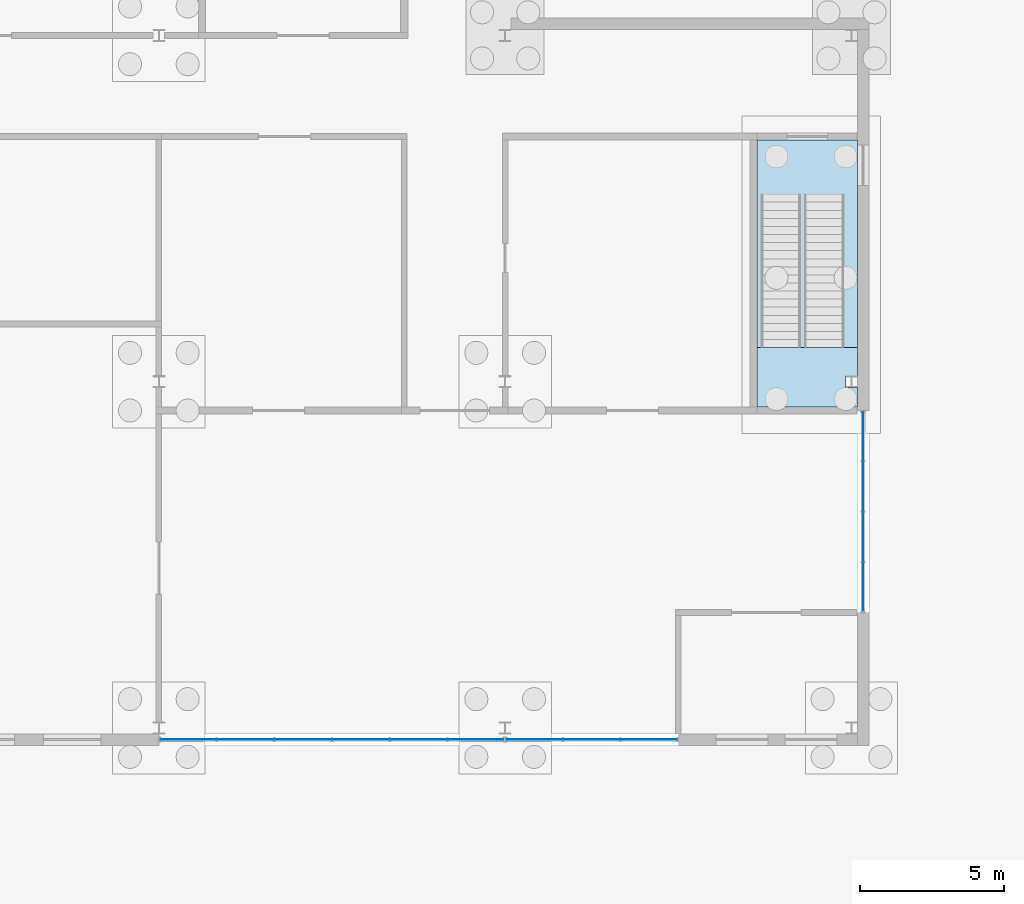
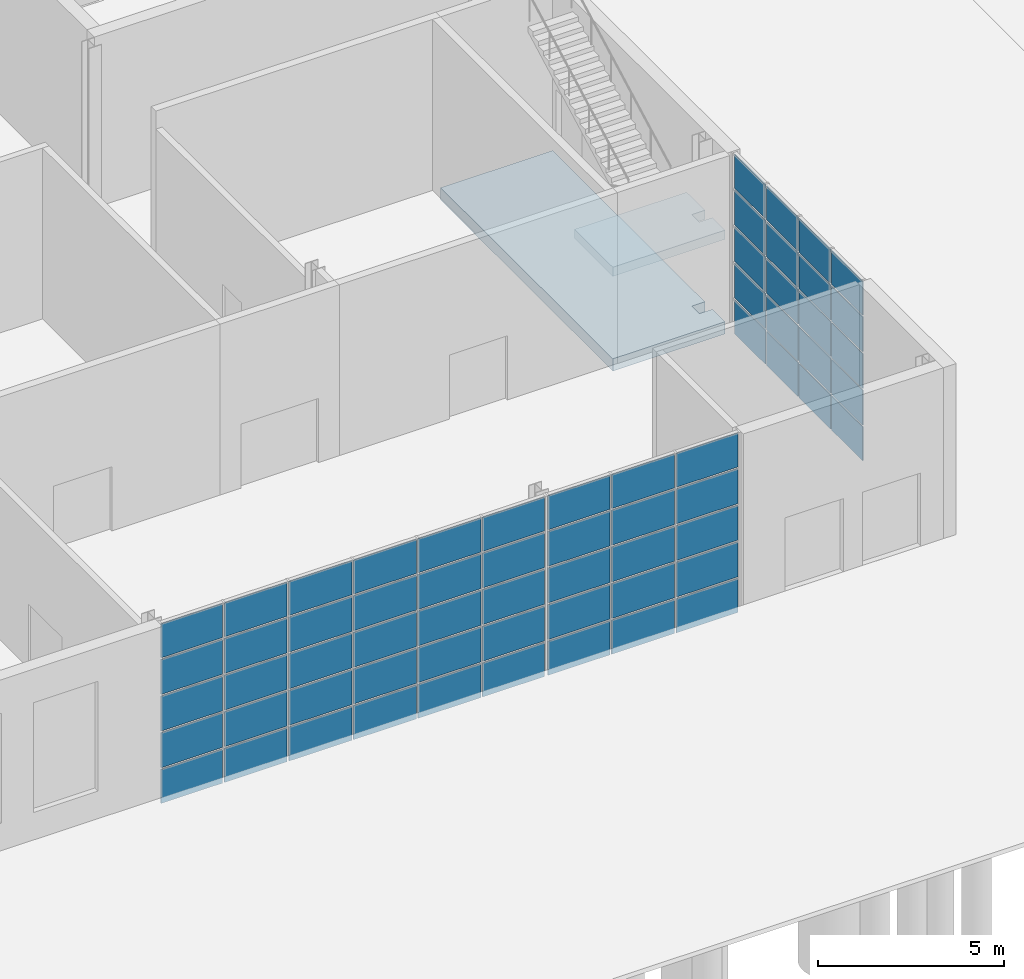
# One storey, part 15 of 29: 65 plates, 2 slabs, 4 elements without a shape of their own.
"""IFC4 building model written with IfcOpenShell, lengths in metres."""

import ifcopenshell
import ifcopenshell.guid

model = None  # the IFC model being written
_history = None  # IfcOwnerHistory: only IFC2X3 demands one
_inside = {}  # id of a spatial element -> (the spatial element, [elements in it])
_under = {}  # id of a project, library or spatial element -> (it, [spatial elements below it])
_declared = {}  # id of a project -> (the project, [libraries it declares])
_typed = {}  # id of a type object -> (the type object, [elements of that type])
_made_of = {}  # id of a material, layer set ... -> (it, [elements and type objects made of it])


def new_model(schema):
    """Start an empty IFC model of exactly this schema.

    Asked for "IFC4X3", IfcOpenShell would pick the latest addendum, in which some entities
    have other attributes; the version numbers below select the first issue.
    IFC2X3 requires an IfcOwnerHistory on every rooted entity: one is made here for all.
    """
    global model, _history
    if schema == "IFC4X3":
        model = ifcopenshell.file(schema_version=(4, 3, 0, 0))
    else:
        model = ifcopenshell.file(schema=schema)
    _inside.clear()
    _under.clear()
    _declared.clear()
    _typed.clear()
    _made_of.clear()
    _history = None
    if model.schema == "IFC2X3":
        org = make("IfcOrganization", Name="unknown")
        user = make(
            "IfcPersonAndOrganization",
            ThePerson=make("IfcPerson", FamilyName="unknown"),
            TheOrganization=org,
        )
        app = make(
            "IfcApplication",
            ApplicationDeveloper=org,
            Version="unknown",
            ApplicationFullName="unknown",
            ApplicationIdentifier="unknown",
        )
        _history = make(
            "IfcOwnerHistory",
            OwningUser=user,
            OwningApplication=app,
            ChangeAction="ADDED",
            CreationDate=0,
        )
    return model


def make(cls, **values):
    """One entity of the class cls with the attributes given. An attribute that is None is left unset."""
    return model.create_entity(
        cls, **{name: value for name, value in values.items() if value is not None}
    )


def rooted(cls, **values):
    """An entity with a GlobalId (a new one), such as an element, a storey or a relation."""
    return make(cls, GlobalId=ifcopenshell.guid.new(), OwnerHistory=_history, **values)


def si_unit(unit_type, name, prefix=None):
    """IfcSIUnit, for example si_unit("LENGTHUNIT", "METRE", prefix="MILLI")."""
    return make("IfcSIUnit", UnitType=unit_type, Prefix=prefix, Name=name)


def assignment(units):
    """IfcUnitAssignment: the units of a project."""
    return None if units is None else make("IfcUnitAssignment", Units=units)


def point(xyz):
    """IfcCartesianPoint."""
    return None if xyz is None else make("IfcCartesianPoint", Coordinates=xyz)


def direction(xyz):
    """IfcDirection."""
    return None if xyz is None else make("IfcDirection", DirectionRatios=xyz)


def frame(location, z_axis=None, x_axis=None):
    """IfcAxis2Placement3D, a coordinate frame: its origin and axes. An axis left out is left unset."""
    return make(
        "IfcAxis2Placement3D",
        Location=point(location),
        Axis=direction(z_axis),
        RefDirection=direction(x_axis),
    )


def frame_2d(location, x_axis=None):
    """IfcAxis2Placement2D, a coordinate frame in the plane: its origin and x axis."""
    return make(
        "IfcAxis2Placement2D", Location=point(location), RefDirection=direction(x_axis)
    )


def origin():
    """The frame at (0, 0, 0) with its axes left unset."""
    return frame((0.0, 0.0, 0.0))


def origin_2d():
    """The frame at (0, 0) in the plane with its x axis left unset."""
    return frame_2d((0.0, 0.0))


def place(relative_to, where):
    """IfcLocalPlacement: puts the frame where relative to a parent placement (None: the world)."""
    return make(
        "IfcLocalPlacement", PlacementRelTo=relative_to, RelativePlacement=where
    )


def context(
    kind, dimensions, precision=None, world=None, true_north=None, identifier=None
):
    """IfcGeometricRepresentationContext, for example the 3D "Model" context."""
    return make(
        "IfcGeometricRepresentationContext",
        ContextIdentifier=identifier,
        ContextType=kind,
        CoordinateSpaceDimension=dimensions,
        Precision=precision,
        WorldCoordinateSystem=world,
        TrueNorth=true_north,
    )


def subcontext(parent, identifier, kind, view, scale=None):
    """IfcGeometricRepresentationSubContext, for example "Body" below "Model"."""
    return make(
        "IfcGeometricRepresentationSubContext",
        ContextIdentifier=identifier,
        ContextType=kind,
        ParentContext=parent,
        TargetScale=scale,
        TargetView=view,
    )


def project(units=None, contexts=None):
    """IfcProject with its units and contexts."""
    return rooted(
        "IfcProject",
        Name="project",
        RepresentationContexts=contexts,
        UnitsInContext=assignment(units),
    )


def spatial(cls, under=None, at=None, **own):
    """A site, building, storey or space (cls), placed at a placement, below another one or the project."""
    s = rooted(cls, ObjectPlacement=at, **own)
    if under is not None:
        _under.setdefault(under.id(), (under, []))[1].append(s)
    return s


def polyline(points):
    """IfcPolyline through the points."""
    return make("IfcPolyline", Points=[point(p) for p in points])


def profile(cls, at=None, kind="AREA", **sizes):
    """A parametric profile (cls). Its sizes go by their IFC names, for example OverallWidth=200.0."""
    return make(cls, ProfileType=kind, Position=at, **sizes)


def rectangle(**sizes):
    """IfcRectangleProfileDef."""
    return profile("IfcRectangleProfileDef", **sizes)


def outline(outer, holes=None, kind="AREA"):
    """IfcArbitraryClosedProfileDef: a profile drawn as a closed curve; with holes, ...WithVoids."""
    if holes is None:
        return make("IfcArbitraryClosedProfileDef", ProfileType=kind, OuterCurve=outer)
    return make(
        "IfcArbitraryProfileDefWithVoids",
        ProfileType=kind,
        OuterCurve=outer,
        InnerCurves=holes,
    )


def extrude(swept, where, along, depth):
    """IfcExtrudedAreaSolid: the profile swept, set in the frame where, extruded along a direction by depth."""
    return make(
        "IfcExtrudedAreaSolid",
        SweptArea=swept,
        Position=where,
        ExtrudedDirection=direction(along),
        Depth=depth,
    )


def shape(context_of_items, identifier, shape_type, items):
    """IfcShapeRepresentation: the items that make up one representation, for example the "Body"."""
    return make(
        "IfcShapeRepresentation",
        ContextOfItems=context_of_items,
        RepresentationIdentifier=identifier,
        RepresentationType=shape_type,
        Items=items,
    )


def material(Name=None, Category=None):
    """IfcMaterial."""
    return make("IfcMaterial", Name=Name, Category=Category)


def layer(
    of_material, thickness, ventilated=None, Name=None, Category=None, Priority=None
):
    """IfcMaterialLayer: one layer of a wall or slab, of a material (None: an air gap)."""
    return make(
        "IfcMaterialLayer",
        Material=of_material,
        LayerThickness=thickness,
        IsVentilated=ventilated,
        Name=Name,
        Category=Category,
        Priority=Priority,
    )


def layer_set(layers, Name=None):
    """IfcMaterialLayerSet."""
    return make("IfcMaterialLayerSet", MaterialLayers=layers, LayerSetName=Name)


def made_of(thing, what):
    """Note that an element or type object is made of a material, layer set ...; save() writes the relation."""
    if what is not None:
        _made_of.setdefault(what.id(), (what, []))[1].append(thing)
    return thing


def type_object(cls, material=None, **own):
    """A type object (cls), such as IfcWallType, which elements share."""
    return made_of(rooted(cls, **own), material)


def element(
    cls,
    number,
    at=None,
    inside=None,
    cuts=None,
    type_object=None,
    material=None,
    context=None,
    identifier="Body",
    shape_type=None,
    held_by="IfcProductDefinitionShape",
    body=None,
    shapes=None,
    **own,
):
    """One element of the class cls, such as IfcWall. Its Tag is "e" and its number.

    at: its placement. inside: the storey or other place that contains it. cuts: it is an
    opening in that element (IfcRelVoidsElement). A single representation is given by context,
    identifier, shape_type and body (its items); several are given by shapes. held_by: the class
    of the entity that holds the representations. save() writes the other relations.
    """
    e = rooted(cls, Tag="e%d" % number, ObjectPlacement=at, **own)
    if body is not None:
        shapes = [shape(context, identifier, shape_type, body)]
    if shapes is not None:
        e.Representation = make(held_by, Representations=shapes)
    if inside is not None:
        _inside.setdefault(inside.id(), (inside, []))[1].append(e)
    if cuts is not None:
        rooted(
            "IfcRelVoidsElement", RelatingBuildingElement=cuts, RelatedOpeningElement=e
        )
    if type_object is not None:
        _typed.setdefault(type_object.id(), (type_object, []))[1].append(e)
    return made_of(e, material)


def aggregate(whole, parts):
    """IfcRelAggregates: a whole, such as a stair, and the parts it consists of."""
    return rooted("IfcRelAggregates", RelatingObject=whole, RelatedObjects=parts)


def save(model, path):
    """Write the relations noted so far, then the file.

    IfcRelAggregates (storeys below a building ...), IfcRelContainedInSpatialStructure (elements
    in a storey), IfcRelDefinesByType, IfcRelAssociatesMaterial and IfcRelDeclares: one each for
    every whole, place, type object, material and project.
    """
    for whole, parts in _under.values():
        aggregate(whole, parts)
    for where, things in _inside.values():
        rooted(
            "IfcRelContainedInSpatialStructure",
            RelatedElements=things,
            RelatingStructure=where,
        )
    for kind, things in _typed.values():
        rooted("IfcRelDefinesByType", RelatedObjects=things, RelatingType=kind)
    for what, things in _made_of.values():
        rooted("IfcRelAssociatesMaterial", RelatedObjects=things, RelatingMaterial=what)
    for by, libraries in _declared.values():
        rooted("IfcRelDeclares", RelatingContext=by, RelatedDefinitions=libraries)
    model.write(path)


model = new_model("IFC4")

# Units and contexts
model_context = context("Model", 3, precision=1e-05, world=origin(), true_north=direction((0.0, 1.0)))
body_context = subcontext(model_context, "Body", "Model", "MODEL_VIEW")
ifc_project = project(units=[si_unit("LENGTHUNIT", "METRE"), si_unit("AREAUNIT", "SQUARE_METRE"), si_unit("VOLUMEUNIT", "CUBIC_METRE"), si_unit("PLANEANGLEUNIT", "RADIAN"), si_unit("MASSUNIT", "GRAM", prefix="KILO")], contexts=[model_context])

# Site, building, storey
site_placement = place(None, origin())
site = spatial("IfcSite", under=ifc_project, at=site_placement, CompositionType="ELEMENT")
building_placement = place(site_placement, origin())
building = spatial("IfcBuilding", under=site, at=building_placement, Name="Kitamizu Gate Tower and Museum", CompositionType="ELEMENT")
storey_placement = place(building_placement, origin())
storey = spatial("IfcBuildingStorey", under=building, at=storey_placement, Name="L00", CompositionType="ELEMENT", Elevation=0.0)

# Curtain wall, plates
ifc_material_1 = material(Name="Bronze anodised aluminium frame, tinted triple glazing", Category="aluminium")
ifc_layer_1 = layer(ifc_material_1, 0.39990234375)
ifc_layer_set_1 = layer_set([ifc_layer_1], Name="Bronze anodised aluminium frame, tinted triple glazing")
curtain_wall_type = type_object("IfcCurtainWallType", Name="Museum atrium curtain wall D", PredefinedType="NOTDEFINED", material=ifc_layer_set_1)
curtain_wall_1_placement = place(storey_placement, origin())
curtain_wall_1 = element("IfcCurtainWall", 1, at=curtain_wall_1_placement, inside=storey, type_object=curtain_wall_type, Name="Atrium curtain wall Sm14mm2", PredefinedType="NOTDEFINED")
ifc_material_2 = material(Name="Tinted insulating glass", Category="glass")
ifc_layer_2 = layer(ifc_material_2, 0.028076171875)
ifc_layer_set_2 = layer_set([ifc_layer_2], Name="Tinted insulating glass")
plate_type = type_object("IfcPlateType", Name="Museum curtain wall glass panel 28", PredefinedType="CURTAIN_PANEL", material=ifc_layer_set_2)
plate_1_placement = place(storey_placement, frame((-12.985107421875, -26.39990234375, -0.33984375), z_axis=(0.0, 0.0, 1.0), x_axis=(1.0, 0.0, 0.0)))
plate_1 = element("IfcPlate", 2, at=plate_1_placement, type_object=plate_type, Name="CW-D panel 1.1", PredefinedType="CURTAIN_PANEL", context=body_context, shape_type="SweptSolid", body=[
    extrude(rectangle(XDim=1.909912109375, YDim=0.028076171875, at=origin_2d()), origin(), (0.0, 0.0, 1.0), 1.110107421875),
])
plate_2_placement = place(storey_placement, frame((-12.985107421875, -26.39990234375, 0.830078125), z_axis=(0.0, 0.0, 1.0), x_axis=(1.0, 0.0, 0.0)))
plate_2 = element("IfcPlate", 3, at=plate_2_placement, type_object=plate_type, Name="CW-D panel 1.2", PredefinedType="CURTAIN_PANEL", context=body_context, shape_type="SweptSolid", body=[
    extrude(rectangle(XDim=1.909912109375, YDim=0.028076171875, at=origin_2d()), origin(), (0.0, 0.0, 1.0), 1.139892578125),
])
plate_3_placement = place(storey_placement, frame((-12.985107421875, -26.39990234375, 2.0302734375), z_axis=(0.0, 0.0, 1.0), x_axis=(1.0, 0.0, 0.0)))
plate_3 = element("IfcPlate", 4, at=plate_3_placement, type_object=plate_type, Name="CW-D panel 1.3", PredefinedType="CURTAIN_PANEL", context=body_context, shape_type="SweptSolid", body=[
    extrude(rectangle(XDim=1.909912109375, YDim=0.028076171875, at=origin_2d()), origin(), (0.0, 0.0, 1.0), 1.139892578125),
])
plate_4_placement = place(storey_placement, frame((-12.985107421875, -26.39990234375, 3.22998046875), z_axis=(0.0, 0.0, 1.0), x_axis=(1.0, 0.0, 0.0)))
plate_4 = element("IfcPlate", 5, at=plate_4_placement, type_object=plate_type, Name="CW-D panel 1.4", PredefinedType="CURTAIN_PANEL", context=body_context, shape_type="SweptSolid", body=[
    extrude(rectangle(XDim=1.909912109375, YDim=0.028076171875, at=origin_2d()), origin(), (0.0, 0.0, 1.0), 1.139892578125),
])
plate_5_placement = place(storey_placement, frame((-12.985107421875, -26.39990234375, 4.43017578125), z_axis=(0.0, 0.0, 1.0), x_axis=(1.0, 0.0, 0.0)))
plate_5 = element("IfcPlate", 6, at=plate_5_placement, type_object=plate_type, Name="CW-D panel 1.5", PredefinedType="CURTAIN_PANEL", context=body_context, shape_type="SweptSolid", body=[
    extrude(rectangle(XDim=1.909912109375, YDim=0.028076171875, at=origin_2d()), origin(), (0.0, 0.0, 1.0), 1.110107421875),
])
plate_6_placement = place(storey_placement, frame((-11.0, -26.39990234375, -0.33984375), z_axis=(0.0, 0.0, 1.0), x_axis=(1.0, 0.0, 0.0)))
plate_6 = element("IfcPlate", 7, at=plate_6_placement, type_object=plate_type, Name="CW-D panel 2.1", PredefinedType="CURTAIN_PANEL", context=body_context, shape_type="SweptSolid", body=[
    extrude(rectangle(XDim=1.93994140625, YDim=0.028076171875, at=origin_2d()), origin(), (0.0, 0.0, 1.0), 1.110107421875),
])
plate_7_placement = place(storey_placement, frame((-11.0, -26.39990234375, 0.830078125), z_axis=(0.0, 0.0, 1.0), x_axis=(1.0, 0.0, 0.0)))
plate_7 = element("IfcPlate", 8, at=plate_7_placement, type_object=plate_type, Name="CW-D panel 2.2", PredefinedType="CURTAIN_PANEL", context=body_context, shape_type="SweptSolid", body=[
    extrude(rectangle(XDim=1.93994140625, YDim=0.028076171875, at=origin_2d()), origin(), (0.0, 0.0, 1.0), 1.139892578125),
])
plate_8_placement = place(storey_placement, frame((-11.0, -26.39990234375, 2.0302734375), z_axis=(0.0, 0.0, 1.0), x_axis=(1.0, 0.0, 0.0)))
plate_8 = element("IfcPlate", 9, at=plate_8_placement, type_object=plate_type, Name="CW-D panel 2.3", PredefinedType="CURTAIN_PANEL", context=body_context, shape_type="SweptSolid", body=[
    extrude(rectangle(XDim=1.93994140625, YDim=0.028076171875, at=origin_2d()), origin(), (0.0, 0.0, 1.0), 1.139892578125),
])
plate_9_placement = place(storey_placement, frame((-11.0, -26.39990234375, 3.22998046875), z_axis=(0.0, 0.0, 1.0), x_axis=(1.0, 0.0, 0.0)))
plate_9 = element("IfcPlate", 10, at=plate_9_placement, type_object=plate_type, Name="CW-D panel 2.4", PredefinedType="CURTAIN_PANEL", context=body_context, shape_type="SweptSolid", body=[
    extrude(rectangle(XDim=1.93994140625, YDim=0.028076171875, at=origin_2d()), origin(), (0.0, 0.0, 1.0), 1.139892578125),
])
plate_10_placement = place(storey_placement, frame((-11.0, -26.39990234375, 4.43017578125), z_axis=(0.0, 0.0, 1.0), x_axis=(1.0, 0.0, 0.0)))
plate_10 = element("IfcPlate", 11, at=plate_10_placement, type_object=plate_type, Name="CW-D panel 2.5", PredefinedType="CURTAIN_PANEL", context=body_context, shape_type="SweptSolid", body=[
    extrude(rectangle(XDim=1.93994140625, YDim=0.028076171875, at=origin_2d()), origin(), (0.0, 0.0, 1.0), 1.110107421875),
])
plate_11_placement = place(storey_placement, frame((-9.0, -26.39990234375, -0.33984375), z_axis=(0.0, 0.0, 1.0), x_axis=(1.0, 0.0, 0.0)))
plate_11 = element("IfcPlate", 12, at=plate_11_placement, type_object=plate_type, Name="CW-D panel 3.1", PredefinedType="CURTAIN_PANEL", context=body_context, shape_type="SweptSolid", body=[
    extrude(rectangle(XDim=1.93994140625, YDim=0.028076171875, at=origin_2d()), origin(), (0.0, 0.0, 1.0), 1.110107421875),
])
plate_12_placement = place(storey_placement, frame((-9.0, -26.39990234375, 0.830078125), z_axis=(0.0, 0.0, 1.0), x_axis=(1.0, 0.0, 0.0)))
plate_12 = element("IfcPlate", 13, at=plate_12_placement, type_object=plate_type, Name="CW-D panel 3.2", PredefinedType="CURTAIN_PANEL", context=body_context, shape_type="SweptSolid", body=[
    extrude(rectangle(XDim=1.93994140625, YDim=0.028076171875, at=origin_2d()), origin(), (0.0, 0.0, 1.0), 1.139892578125),
])
plate_13_placement = place(storey_placement, frame((-9.0, -26.39990234375, 2.0302734375), z_axis=(0.0, 0.0, 1.0), x_axis=(1.0, 0.0, 0.0)))
plate_13 = element("IfcPlate", 14, at=plate_13_placement, type_object=plate_type, Name="CW-D panel 3.3", PredefinedType="CURTAIN_PANEL", context=body_context, shape_type="SweptSolid", body=[
    extrude(rectangle(XDim=1.93994140625, YDim=0.028076171875, at=origin_2d()), origin(), (0.0, 0.0, 1.0), 1.139892578125),
])
plate_14_placement = place(storey_placement, frame((-9.0, -26.39990234375, 3.22998046875), z_axis=(0.0, 0.0, 1.0), x_axis=(1.0, 0.0, 0.0)))
plate_14 = element("IfcPlate", 15, at=plate_14_placement, type_object=plate_type, Name="CW-D panel 3.4", PredefinedType="CURTAIN_PANEL", context=body_context, shape_type="SweptSolid", body=[
    extrude(rectangle(XDim=1.93994140625, YDim=0.028076171875, at=origin_2d()), origin(), (0.0, 0.0, 1.0), 1.139892578125),
])
plate_15_placement = place(storey_placement, frame((-9.0, -26.39990234375, 4.43017578125), z_axis=(0.0, 0.0, 1.0), x_axis=(1.0, 0.0, 0.0)))
plate_15 = element("IfcPlate", 16, at=plate_15_placement, type_object=plate_type, Name="CW-D panel 3.5", PredefinedType="CURTAIN_PANEL", context=body_context, shape_type="SweptSolid", body=[
    extrude(rectangle(XDim=1.93994140625, YDim=0.028076171875, at=origin_2d()), origin(), (0.0, 0.0, 1.0), 1.110107421875),
])
plate_16_placement = place(storey_placement, frame((-7.0, -26.39990234375, -0.33984375), z_axis=(0.0, 0.0, 1.0), x_axis=(1.0, 0.0, 0.0)))
plate_16 = element("IfcPlate", 17, at=plate_16_placement, type_object=plate_type, Name="CW-D panel 4.1", PredefinedType="CURTAIN_PANEL", context=body_context, shape_type="SweptSolid", body=[
    extrude(rectangle(XDim=1.93994140625, YDim=0.028076171875, at=origin_2d()), origin(), (0.0, 0.0, 1.0), 1.110107421875),
])
plate_17_placement = place(storey_placement, frame((-7.0, -26.39990234375, 0.830078125), z_axis=(0.0, 0.0, 1.0), x_axis=(1.0, 0.0, 0.0)))
plate_17 = element("IfcPlate", 18, at=plate_17_placement, type_object=plate_type, Name="CW-D panel 4.2", PredefinedType="CURTAIN_PANEL", context=body_context, shape_type="SweptSolid", body=[
    extrude(rectangle(XDim=1.93994140625, YDim=0.028076171875, at=origin_2d()), origin(), (0.0, 0.0, 1.0), 1.139892578125),
])
plate_18_placement = place(storey_placement, frame((-7.0, -26.39990234375, 2.0302734375), z_axis=(0.0, 0.0, 1.0), x_axis=(1.0, 0.0, 0.0)))
plate_18 = element("IfcPlate", 19, at=plate_18_placement, type_object=plate_type, Name="CW-D panel 4.3", PredefinedType="CURTAIN_PANEL", context=body_context, shape_type="SweptSolid", body=[
    extrude(rectangle(XDim=1.93994140625, YDim=0.028076171875, at=origin_2d()), origin(), (0.0, 0.0, 1.0), 1.139892578125),
])
plate_19_placement = place(storey_placement, frame((-7.0, -26.39990234375, 3.22998046875), z_axis=(0.0, 0.0, 1.0), x_axis=(1.0, 0.0, 0.0)))
plate_19 = element("IfcPlate", 20, at=plate_19_placement, type_object=plate_type, Name="CW-D panel 4.4", PredefinedType="CURTAIN_PANEL", context=body_context, shape_type="SweptSolid", body=[
    extrude(rectangle(XDim=1.93994140625, YDim=0.028076171875, at=origin_2d()), origin(), (0.0, 0.0, 1.0), 1.139892578125),
])
plate_20_placement = place(storey_placement, frame((-7.0, -26.39990234375, 4.43017578125), z_axis=(0.0, 0.0, 1.0), x_axis=(1.0, 0.0, 0.0)))
plate_20 = element("IfcPlate", 21, at=plate_20_placement, type_object=plate_type, Name="CW-D panel 4.5", PredefinedType="CURTAIN_PANEL", context=body_context, shape_type="SweptSolid", body=[
    extrude(rectangle(XDim=1.93994140625, YDim=0.028076171875, at=origin_2d()), origin(), (0.0, 0.0, 1.0), 1.110107421875),
])
plate_21_placement = place(storey_placement, frame((-5.0, -26.39990234375, -0.33984375), z_axis=(0.0, 0.0, 1.0), x_axis=(1.0, 0.0, 0.0)))
plate_21 = element("IfcPlate", 22, at=plate_21_placement, type_object=plate_type, Name="CW-D panel 5.1", PredefinedType="CURTAIN_PANEL", context=body_context, shape_type="SweptSolid", body=[
    extrude(rectangle(XDim=1.93994140625, YDim=0.028076171875, at=origin_2d()), origin(), (0.0, 0.0, 1.0), 1.110107421875),
])
plate_22_placement = place(storey_placement, frame((-5.0, -26.39990234375, 0.830078125), z_axis=(0.0, 0.0, 1.0), x_axis=(1.0, 0.0, 0.0)))
plate_22 = element("IfcPlate", 23, at=plate_22_placement, type_object=plate_type, Name="CW-D panel 5.2", PredefinedType="CURTAIN_PANEL", context=body_context, shape_type="SweptSolid", body=[
    extrude(rectangle(XDim=1.93994140625, YDim=0.028076171875, at=origin_2d()), origin(), (0.0, 0.0, 1.0), 1.139892578125),
])
plate_23_placement = place(storey_placement, frame((-5.0, -26.39990234375, 2.0302734375), z_axis=(0.0, 0.0, 1.0), x_axis=(1.0, 0.0, 0.0)))
plate_23 = element("IfcPlate", 24, at=plate_23_placement, type_object=plate_type, Name="CW-D panel 5.3", PredefinedType="CURTAIN_PANEL", context=body_context, shape_type="SweptSolid", body=[
    extrude(rectangle(XDim=1.93994140625, YDim=0.028076171875, at=origin_2d()), origin(), (0.0, 0.0, 1.0), 1.139892578125),
])
plate_24_placement = place(storey_placement, frame((-5.0, -26.39990234375, 3.22998046875), z_axis=(0.0, 0.0, 1.0), x_axis=(1.0, 0.0, 0.0)))
plate_24 = element("IfcPlate", 25, at=plate_24_placement, type_object=plate_type, Name="CW-D panel 5.4", PredefinedType="CURTAIN_PANEL", context=body_context, shape_type="SweptSolid", body=[
    extrude(rectangle(XDim=1.93994140625, YDim=0.028076171875, at=origin_2d()), origin(), (0.0, 0.0, 1.0), 1.139892578125),
])
plate_25_placement = place(storey_placement, frame((-5.0, -26.39990234375, 4.43017578125), z_axis=(0.0, 0.0, 1.0), x_axis=(1.0, 0.0, 0.0)))
plate_25 = element("IfcPlate", 26, at=plate_25_placement, type_object=plate_type, Name="CW-D panel 5.5", PredefinedType="CURTAIN_PANEL", context=body_context, shape_type="SweptSolid", body=[
    extrude(rectangle(XDim=1.93994140625, YDim=0.028076171875, at=origin_2d()), origin(), (0.0, 0.0, 1.0), 1.110107421875),
])
plate_26_placement = place(storey_placement, frame((-3.014892578125, -26.39990234375, -0.33984375), z_axis=(0.0, 0.0, 1.0), x_axis=(1.0, 0.0, 0.0)))
plate_26 = element("IfcPlate", 27, at=plate_26_placement, type_object=plate_type, Name="CW-D panel 6.1", PredefinedType="CURTAIN_PANEL", context=body_context, shape_type="SweptSolid", body=[
    extrude(rectangle(XDim=1.909912109375, YDim=0.028076171875, at=origin_2d()), origin(), (0.0, 0.0, 1.0), 1.110107421875),
])
plate_27_placement = place(storey_placement, frame((-3.014892578125, -26.39990234375, 0.830078125), z_axis=(0.0, 0.0, 1.0), x_axis=(1.0, 0.0, 0.0)))
plate_27 = element("IfcPlate", 28, at=plate_27_placement, type_object=plate_type, Name="CW-D panel 6.2", PredefinedType="CURTAIN_PANEL", context=body_context, shape_type="SweptSolid", body=[
    extrude(rectangle(XDim=1.909912109375, YDim=0.028076171875, at=origin_2d()), origin(), (0.0, 0.0, 1.0), 1.139892578125),
])
plate_28_placement = place(storey_placement, frame((-3.014892578125, -26.39990234375, 2.0302734375), z_axis=(0.0, 0.0, 1.0), x_axis=(1.0, 0.0, 0.0)))
plate_28 = element("IfcPlate", 29, at=plate_28_placement, type_object=plate_type, Name="CW-D panel 6.3", PredefinedType="CURTAIN_PANEL", context=body_context, shape_type="SweptSolid", body=[
    extrude(rectangle(XDim=1.909912109375, YDim=0.028076171875, at=origin_2d()), origin(), (0.0, 0.0, 1.0), 1.139892578125),
])
plate_29_placement = place(storey_placement, frame((-3.014892578125, -26.39990234375, 3.22998046875), z_axis=(0.0, 0.0, 1.0), x_axis=(1.0, 0.0, 0.0)))
plate_29 = element("IfcPlate", 30, at=plate_29_placement, type_object=plate_type, Name="CW-D panel 6.4", PredefinedType="CURTAIN_PANEL", context=body_context, shape_type="SweptSolid", body=[
    extrude(rectangle(XDim=1.909912109375, YDim=0.028076171875, at=origin_2d()), origin(), (0.0, 0.0, 1.0), 1.139892578125),
])
plate_30_placement = place(storey_placement, frame((-3.014892578125, -26.39990234375, 4.43017578125), z_axis=(0.0, 0.0, 1.0), x_axis=(1.0, 0.0, 0.0)))
plate_30 = element("IfcPlate", 31, at=plate_30_placement, type_object=plate_type, Name="CW-D panel 6.5", PredefinedType="CURTAIN_PANEL", context=body_context, shape_type="SweptSolid", body=[
    extrude(rectangle(XDim=1.909912109375, YDim=0.028076171875, at=origin_2d()), origin(), (0.0, 0.0, 1.0), 1.110107421875),
])
aggregate(curtain_wall_1, [plate_1, plate_2, plate_3, plate_4, plate_5, plate_6, plate_7, plate_8, plate_9, plate_10, plate_11, plate_12, plate_13, plate_14, plate_15, plate_16, plate_17, plate_18, plate_19, plate_20, plate_21, plate_22, plate_23, plate_24, plate_25, plate_26, plate_27, plate_28, plate_29, plate_30])

curtain_wall_2_placement = place(storey_placement, origin())
curtain_wall_2 = element("IfcCurtainWall", 32, at=curtain_wall_2_placement, inside=storey, type_object=curtain_wall_type, Name="Atrium curtain wall Sm2m4", PredefinedType="NOTDEFINED")
plate_31_placement = place(storey_placement, frame((-0.985107421875, -26.39990234375, -0.33984375), z_axis=(0.0, 0.0, 1.0), x_axis=(1.0, 0.0, 0.0)))
plate_31 = element("IfcPlate", 33, at=plate_31_placement, type_object=plate_type, Name="CW-D panel 1.1", PredefinedType="CURTAIN_PANEL", context=body_context, shape_type="SweptSolid", body=[
    extrude(rectangle(XDim=1.909912109375, YDim=0.028076171875, at=origin_2d()), origin(), (0.0, 0.0, 1.0), 1.110107421875),
])
plate_32_placement = place(storey_placement, frame((-0.985107421875, -26.39990234375, 0.830078125), z_axis=(0.0, 0.0, 1.0), x_axis=(1.0, 0.0, 0.0)))
plate_32 = element("IfcPlate", 34, at=plate_32_placement, type_object=plate_type, Name="CW-D panel 1.2", PredefinedType="CURTAIN_PANEL", context=body_context, shape_type="SweptSolid", body=[
    extrude(rectangle(XDim=1.909912109375, YDim=0.028076171875, at=origin_2d()), origin(), (0.0, 0.0, 1.0), 1.139892578125),
])
plate_33_placement = place(storey_placement, frame((-0.985107421875, -26.39990234375, 2.0302734375), z_axis=(0.0, 0.0, 1.0), x_axis=(1.0, 0.0, 0.0)))
plate_33 = element("IfcPlate", 35, at=plate_33_placement, type_object=plate_type, Name="CW-D panel 1.3", PredefinedType="CURTAIN_PANEL", context=body_context, shape_type="SweptSolid", body=[
    extrude(rectangle(XDim=1.909912109375, YDim=0.028076171875, at=origin_2d()), origin(), (0.0, 0.0, 1.0), 1.139892578125),
])
plate_34_placement = place(storey_placement, frame((-0.985107421875, -26.39990234375, 3.22998046875), z_axis=(0.0, 0.0, 1.0), x_axis=(1.0, 0.0, 0.0)))
plate_34 = element("IfcPlate", 36, at=plate_34_placement, type_object=plate_type, Name="CW-D panel 1.4", PredefinedType="CURTAIN_PANEL", context=body_context, shape_type="SweptSolid", body=[
    extrude(rectangle(XDim=1.909912109375, YDim=0.028076171875, at=origin_2d()), origin(), (0.0, 0.0, 1.0), 1.139892578125),
])
plate_35_placement = place(storey_placement, frame((-0.985107421875, -26.39990234375, 4.43017578125), z_axis=(0.0, 0.0, 1.0), x_axis=(1.0, 0.0, 0.0)))
plate_35 = element("IfcPlate", 37, at=plate_35_placement, type_object=plate_type, Name="CW-D panel 1.5", PredefinedType="CURTAIN_PANEL", context=body_context, shape_type="SweptSolid", body=[
    extrude(rectangle(XDim=1.909912109375, YDim=0.028076171875, at=origin_2d()), origin(), (0.0, 0.0, 1.0), 1.110107421875),
])
plate_36_placement = place(storey_placement, frame((1.0, -26.39990234375, -0.33984375), z_axis=(0.0, 0.0, 1.0), x_axis=(1.0, 0.0, 0.0)))
plate_36 = element("IfcPlate", 38, at=plate_36_placement, type_object=plate_type, Name="CW-D panel 2.1", PredefinedType="CURTAIN_PANEL", context=body_context, shape_type="SweptSolid", body=[
    extrude(rectangle(XDim=1.93994140625, YDim=0.028076171875, at=origin_2d()), origin(), (0.0, 0.0, 1.0), 1.110107421875),
])
plate_37_placement = place(storey_placement, frame((1.0, -26.39990234375, 0.830078125), z_axis=(0.0, 0.0, 1.0), x_axis=(1.0, 0.0, 0.0)))
plate_37 = element("IfcPlate", 39, at=plate_37_placement, type_object=plate_type, Name="CW-D panel 2.2", PredefinedType="CURTAIN_PANEL", context=body_context, shape_type="SweptSolid", body=[
    extrude(rectangle(XDim=1.93994140625, YDim=0.028076171875, at=origin_2d()), origin(), (0.0, 0.0, 1.0), 1.139892578125),
])
plate_38_placement = place(storey_placement, frame((1.0, -26.39990234375, 2.0302734375), z_axis=(0.0, 0.0, 1.0), x_axis=(1.0, 0.0, 0.0)))
plate_38 = element("IfcPlate", 40, at=plate_38_placement, type_object=plate_type, Name="CW-D panel 2.3", PredefinedType="CURTAIN_PANEL", context=body_context, shape_type="SweptSolid", body=[
    extrude(rectangle(XDim=1.93994140625, YDim=0.028076171875, at=origin_2d()), origin(), (0.0, 0.0, 1.0), 1.139892578125),
])
plate_39_placement = place(storey_placement, frame((1.0, -26.39990234375, 3.22998046875), z_axis=(0.0, 0.0, 1.0), x_axis=(1.0, 0.0, 0.0)))
plate_39 = element("IfcPlate", 41, at=plate_39_placement, type_object=plate_type, Name="CW-D panel 2.4", PredefinedType="CURTAIN_PANEL", context=body_context, shape_type="SweptSolid", body=[
    extrude(rectangle(XDim=1.93994140625, YDim=0.028076171875, at=origin_2d()), origin(), (0.0, 0.0, 1.0), 1.139892578125),
])
plate_40_placement = place(storey_placement, frame((1.0, -26.39990234375, 4.43017578125), z_axis=(0.0, 0.0, 1.0), x_axis=(1.0, 0.0, 0.0)))
plate_40 = element("IfcPlate", 42, at=plate_40_placement, type_object=plate_type, Name="CW-D panel 2.5", PredefinedType="CURTAIN_PANEL", context=body_context, shape_type="SweptSolid", body=[
    extrude(rectangle(XDim=1.93994140625, YDim=0.028076171875, at=origin_2d()), origin(), (0.0, 0.0, 1.0), 1.110107421875),
])
plate_41_placement = place(storey_placement, frame((2.985107421875, -26.39990234375, -0.33984375), z_axis=(0.0, 0.0, 1.0), x_axis=(1.0, 0.0, 0.0)))
plate_41 = element("IfcPlate", 43, at=plate_41_placement, type_object=plate_type, Name="CW-D panel 3.1", PredefinedType="CURTAIN_PANEL", context=body_context, shape_type="SweptSolid", body=[
    extrude(rectangle(XDim=1.909912109375, YDim=0.028076171875, at=origin_2d()), origin(), (0.0, 0.0, 1.0), 1.110107421875),
])
plate_42_placement = place(storey_placement, frame((2.985107421875, -26.39990234375, 0.830078125), z_axis=(0.0, 0.0, 1.0), x_axis=(1.0, 0.0, 0.0)))
plate_42 = element("IfcPlate", 44, at=plate_42_placement, type_object=plate_type, Name="CW-D panel 3.2", PredefinedType="CURTAIN_PANEL", context=body_context, shape_type="SweptSolid", body=[
    extrude(rectangle(XDim=1.909912109375, YDim=0.028076171875, at=origin_2d()), origin(), (0.0, 0.0, 1.0), 1.139892578125),
])
plate_43_placement = place(storey_placement, frame((2.985107421875, -26.39990234375, 2.0302734375), z_axis=(0.0, 0.0, 1.0), x_axis=(1.0, 0.0, 0.0)))
plate_43 = element("IfcPlate", 45, at=plate_43_placement, type_object=plate_type, Name="CW-D panel 3.3", PredefinedType="CURTAIN_PANEL", context=body_context, shape_type="SweptSolid", body=[
    extrude(rectangle(XDim=1.909912109375, YDim=0.028076171875, at=origin_2d()), origin(), (0.0, 0.0, 1.0), 1.139892578125),
])
plate_44_placement = place(storey_placement, frame((2.985107421875, -26.39990234375, 3.22998046875), z_axis=(0.0, 0.0, 1.0), x_axis=(1.0, 0.0, 0.0)))
plate_44 = element("IfcPlate", 46, at=plate_44_placement, type_object=plate_type, Name="CW-D panel 3.4", PredefinedType="CURTAIN_PANEL", context=body_context, shape_type="SweptSolid", body=[
    extrude(rectangle(XDim=1.909912109375, YDim=0.028076171875, at=origin_2d()), origin(), (0.0, 0.0, 1.0), 1.139892578125),
])
plate_45_placement = place(storey_placement, frame((2.985107421875, -26.39990234375, 4.43017578125), z_axis=(0.0, 0.0, 1.0), x_axis=(1.0, 0.0, 0.0)))
plate_45 = element("IfcPlate", 47, at=plate_45_placement, type_object=plate_type, Name="CW-D panel 3.5", PredefinedType="CURTAIN_PANEL", context=body_context, shape_type="SweptSolid", body=[
    extrude(rectangle(XDim=1.909912109375, YDim=0.028076171875, at=origin_2d()), origin(), (0.0, 0.0, 1.0), 1.110107421875),
])
aggregate(curtain_wall_2, [plate_31, plate_32, plate_33, plate_34, plate_35, plate_36, plate_37, plate_38, plate_39, plate_40, plate_41, plate_42, plate_43, plate_44, plate_45])

curtain_wall_3_placement = place(storey_placement, origin())
curtain_wall_3 = element("IfcCurtainWall", 48, at=curtain_wall_3_placement, inside=storey, type_object=curtain_wall_type, Name="Atrium curtain wall Em22mm15", PredefinedType="NOTDEFINED")
plate_46_placement = place(storey_placement, frame((10.39990234375, -21.110107421875, -0.33984375), z_axis=(0.0, 0.0, 1.0), x_axis=(0.0, 1.0, 0.0)))
plate_46 = element("IfcPlate", 49, at=plate_46_placement, type_object=plate_type, Name="CW-D panel 1.1", PredefinedType="CURTAIN_PANEL", context=body_context, shape_type="SweptSolid", body=[
    extrude(rectangle(XDim=1.659912109375, YDim=0.028076171875, at=origin_2d()), origin(), (0.0, 0.0, 1.0), 1.110107421875),
])
plate_47_placement = place(storey_placement, frame((10.39990234375, -21.110107421875, 0.830078125), z_axis=(0.0, 0.0, 1.0), x_axis=(0.0, 1.0, 0.0)))
plate_47 = element("IfcPlate", 50, at=plate_47_placement, type_object=plate_type, Name="CW-D panel 1.2", PredefinedType="CURTAIN_PANEL", context=body_context, shape_type="SweptSolid", body=[
    extrude(rectangle(XDim=1.659912109375, YDim=0.028076171875, at=origin_2d()), origin(), (0.0, 0.0, 1.0), 1.139892578125),
])
plate_48_placement = place(storey_placement, frame((10.39990234375, -21.110107421875, 2.0302734375), z_axis=(0.0, 0.0, 1.0), x_axis=(0.0, 1.0, 0.0)))
plate_48 = element("IfcPlate", 51, at=plate_48_placement, type_object=plate_type, Name="CW-D panel 1.3", PredefinedType="CURTAIN_PANEL", context=body_context, shape_type="SweptSolid", body=[
    extrude(rectangle(XDim=1.659912109375, YDim=0.028076171875, at=origin_2d()), origin(), (0.0, 0.0, 1.0), 1.139892578125),
])
plate_49_placement = place(storey_placement, frame((10.39990234375, -21.110107421875, 3.22998046875), z_axis=(0.0, 0.0, 1.0), x_axis=(0.0, 1.0, 0.0)))
plate_49 = element("IfcPlate", 52, at=plate_49_placement, type_object=plate_type, Name="CW-D panel 1.4", PredefinedType="CURTAIN_PANEL", context=body_context, shape_type="SweptSolid", body=[
    extrude(rectangle(XDim=1.659912109375, YDim=0.028076171875, at=origin_2d()), origin(), (0.0, 0.0, 1.0), 1.139892578125),
])
plate_50_placement = place(storey_placement, frame((10.39990234375, -21.110107421875, 4.43017578125), z_axis=(0.0, 0.0, 1.0), x_axis=(0.0, 1.0, 0.0)))
plate_50 = element("IfcPlate", 53, at=plate_50_placement, type_object=plate_type, Name="CW-D panel 1.5", PredefinedType="CURTAIN_PANEL", context=body_context, shape_type="SweptSolid", body=[
    extrude(rectangle(XDim=1.659912109375, YDim=0.028076171875, at=origin_2d()), origin(), (0.0, 0.0, 1.0), 1.110107421875),
])
plate_51_placement = place(storey_placement, frame((10.39990234375, -19.375, -0.33984375), z_axis=(0.0, 0.0, 1.0), x_axis=(0.0, 1.0, 0.0)))
plate_51 = element("IfcPlate", 54, at=plate_51_placement, type_object=plate_type, Name="CW-D panel 2.1", PredefinedType="CURTAIN_PANEL", context=body_context, shape_type="SweptSolid", body=[
    extrude(rectangle(XDim=1.68994140625, YDim=0.028076171875, at=origin_2d()), origin(), (0.0, 0.0, 1.0), 1.110107421875),
])
plate_52_placement = place(storey_placement, frame((10.39990234375, -19.375, 0.830078125), z_axis=(0.0, 0.0, 1.0), x_axis=(0.0, 1.0, 0.0)))
plate_52 = element("IfcPlate", 55, at=plate_52_placement, type_object=plate_type, Name="CW-D panel 2.2", PredefinedType="CURTAIN_PANEL", context=body_context, shape_type="SweptSolid", body=[
    extrude(rectangle(XDim=1.68994140625, YDim=0.028076171875, at=origin_2d()), origin(), (0.0, 0.0, 1.0), 1.139892578125),
])
plate_53_placement = place(storey_placement, frame((10.39990234375, -19.375, 2.0302734375), z_axis=(0.0, 0.0, 1.0), x_axis=(0.0, 1.0, 0.0)))
plate_53 = element("IfcPlate", 56, at=plate_53_placement, type_object=plate_type, Name="CW-D panel 2.3", PredefinedType="CURTAIN_PANEL", context=body_context, shape_type="SweptSolid", body=[
    extrude(rectangle(XDim=1.68994140625, YDim=0.028076171875, at=origin_2d()), origin(), (0.0, 0.0, 1.0), 1.139892578125),
])
plate_54_placement = place(storey_placement, frame((10.39990234375, -19.375, 3.22998046875), z_axis=(0.0, 0.0, 1.0), x_axis=(0.0, 1.0, 0.0)))
plate_54 = element("IfcPlate", 57, at=plate_54_placement, type_object=plate_type, Name="CW-D panel 2.4", PredefinedType="CURTAIN_PANEL", context=body_context, shape_type="SweptSolid", body=[
    extrude(rectangle(XDim=1.68994140625, YDim=0.028076171875, at=origin_2d()), origin(), (0.0, 0.0, 1.0), 1.139892578125),
])
plate_55_placement = place(storey_placement, frame((10.39990234375, -19.375, 4.43017578125), z_axis=(0.0, 0.0, 1.0), x_axis=(0.0, 1.0, 0.0)))
plate_55 = element("IfcPlate", 58, at=plate_55_placement, type_object=plate_type, Name="CW-D panel 2.5", PredefinedType="CURTAIN_PANEL", context=body_context, shape_type="SweptSolid", body=[
    extrude(rectangle(XDim=1.68994140625, YDim=0.028076171875, at=origin_2d()), origin(), (0.0, 0.0, 1.0), 1.110107421875),
])
plate_56_placement = place(storey_placement, frame((10.39990234375, -17.625, -0.33984375), z_axis=(0.0, 0.0, 1.0), x_axis=(0.0, 1.0, 0.0)))
plate_56 = element("IfcPlate", 59, at=plate_56_placement, type_object=plate_type, Name="CW-D panel 3.1", PredefinedType="CURTAIN_PANEL", context=body_context, shape_type="SweptSolid", body=[
    extrude(rectangle(XDim=1.68994140625, YDim=0.028076171875, at=origin_2d()), origin(), (0.0, 0.0, 1.0), 1.110107421875),
])
plate_57_placement = place(storey_placement, frame((10.39990234375, -17.625, 0.830078125), z_axis=(0.0, 0.0, 1.0), x_axis=(0.0, 1.0, 0.0)))
plate_57 = element("IfcPlate", 60, at=plate_57_placement, type_object=plate_type, Name="CW-D panel 3.2", PredefinedType="CURTAIN_PANEL", context=body_context, shape_type="SweptSolid", body=[
    extrude(rectangle(XDim=1.68994140625, YDim=0.028076171875, at=origin_2d()), origin(), (0.0, 0.0, 1.0), 1.139892578125),
])
plate_58_placement = place(storey_placement, frame((10.39990234375, -17.625, 2.0302734375), z_axis=(0.0, 0.0, 1.0), x_axis=(0.0, 1.0, 0.0)))
plate_58 = element("IfcPlate", 61, at=plate_58_placement, type_object=plate_type, Name="CW-D panel 3.3", PredefinedType="CURTAIN_PANEL", context=body_context, shape_type="SweptSolid", body=[
    extrude(rectangle(XDim=1.68994140625, YDim=0.028076171875, at=origin_2d()), origin(), (0.0, 0.0, 1.0), 1.139892578125),
])
plate_59_placement = place(storey_placement, frame((10.39990234375, -17.625, 3.22998046875), z_axis=(0.0, 0.0, 1.0), x_axis=(0.0, 1.0, 0.0)))
plate_59 = element("IfcPlate", 62, at=plate_59_placement, type_object=plate_type, Name="CW-D panel 3.4", PredefinedType="CURTAIN_PANEL", context=body_context, shape_type="SweptSolid", body=[
    extrude(rectangle(XDim=1.68994140625, YDim=0.028076171875, at=origin_2d()), origin(), (0.0, 0.0, 1.0), 1.139892578125),
])
plate_60_placement = place(storey_placement, frame((10.39990234375, -17.625, 4.43017578125), z_axis=(0.0, 0.0, 1.0), x_axis=(0.0, 1.0, 0.0)))
plate_60 = element("IfcPlate", 63, at=plate_60_placement, type_object=plate_type, Name="CW-D panel 3.5", PredefinedType="CURTAIN_PANEL", context=body_context, shape_type="SweptSolid", body=[
    extrude(rectangle(XDim=1.68994140625, YDim=0.028076171875, at=origin_2d()), origin(), (0.0, 0.0, 1.0), 1.110107421875),
])
plate_61_placement = place(storey_placement, frame((10.39990234375, -15.889892578125, -0.33984375), z_axis=(0.0, 0.0, 1.0), x_axis=(0.0, 1.0, 0.0)))
plate_61 = element("IfcPlate", 64, at=plate_61_placement, type_object=plate_type, Name="CW-D panel 4.1", PredefinedType="CURTAIN_PANEL", context=body_context, shape_type="SweptSolid", body=[
    extrude(rectangle(XDim=1.659912109375, YDim=0.028076171875, at=origin_2d()), origin(), (0.0, 0.0, 1.0), 1.110107421875),
])
plate_62_placement = place(storey_placement, frame((10.39990234375, -15.889892578125, 0.830078125), z_axis=(0.0, 0.0, 1.0), x_axis=(0.0, 1.0, 0.0)))
plate_62 = element("IfcPlate", 65, at=plate_62_placement, type_object=plate_type, Name="CW-D panel 4.2", PredefinedType="CURTAIN_PANEL", context=body_context, shape_type="SweptSolid", body=[
    extrude(rectangle(XDim=1.659912109375, YDim=0.028076171875, at=origin_2d()), origin(), (0.0, 0.0, 1.0), 1.139892578125),
])
plate_63_placement = place(storey_placement, frame((10.39990234375, -15.889892578125, 2.0302734375), z_axis=(0.0, 0.0, 1.0), x_axis=(0.0, 1.0, 0.0)))
plate_63 = element("IfcPlate", 66, at=plate_63_placement, type_object=plate_type, Name="CW-D panel 4.3", PredefinedType="CURTAIN_PANEL", context=body_context, shape_type="SweptSolid", body=[
    extrude(rectangle(XDim=1.659912109375, YDim=0.028076171875, at=origin_2d()), origin(), (0.0, 0.0, 1.0), 1.139892578125),
])
plate_64_placement = place(storey_placement, frame((10.39990234375, -15.889892578125, 3.22998046875), z_axis=(0.0, 0.0, 1.0), x_axis=(0.0, 1.0, 0.0)))
plate_64 = element("IfcPlate", 67, at=plate_64_placement, type_object=plate_type, Name="CW-D panel 4.4", PredefinedType="CURTAIN_PANEL", context=body_context, shape_type="SweptSolid", body=[
    extrude(rectangle(XDim=1.659912109375, YDim=0.028076171875, at=origin_2d()), origin(), (0.0, 0.0, 1.0), 1.139892578125),
])
plate_65_placement = place(storey_placement, frame((10.39990234375, -15.889892578125, 4.43017578125), z_axis=(0.0, 0.0, 1.0), x_axis=(0.0, 1.0, 0.0)))
plate_65 = element("IfcPlate", 68, at=plate_65_placement, type_object=plate_type, Name="CW-D panel 4.5", PredefinedType="CURTAIN_PANEL", context=body_context, shape_type="SweptSolid", body=[
    extrude(rectangle(XDim=1.659912109375, YDim=0.028076171875, at=origin_2d()), origin(), (0.0, 0.0, 1.0), 1.110107421875),
])
aggregate(curtain_wall_3, [plate_46, plate_47, plate_48, plate_49, plate_50, plate_51, plate_52, plate_53, plate_54, plate_55, plate_56, plate_57, plate_58, plate_59, plate_60, plate_61, plate_62, plate_63, plate_64, plate_65])

# Slab
ifc_material_3 = material(Name="Concrete Fc30", Category="concrete")
ifc_layer_3 = layer(ifc_material_3, 0.39990234375)
ifc_layer_set_3 = layer_set([ifc_layer_3], Name="Concrete Fc30")
slab_type_1 = type_object("IfcSlabType", Name="Museum ground slab 400", PredefinedType="BASESLAB", material=ifc_layer_set_3)
slab_1_placement = place(storey_placement, frame((0.0, 0.0, -0.39990234375)))
element("IfcSlab", 69, at=slab_1_placement, inside=storey, type_object=slab_type_1, Name="Floor slab L00.2", PredefinedType="BASESLAB", context=body_context, shape_type="SweptSolid", body=[
    extrude(outline(polyline([(6.72509765625, -5.625), (10.199951171875, -5.625), (10.199951171875, -13.799560546875), (9.799560546875, -13.799560546875), (9.799560546875, -14.200439453125), (10.199951171875, -14.200439453125), (10.199951171875, -14.875), (6.72509765625, -14.875), (6.72509765625, -5.625)])), origin(), (0.0, 0.0, 1.0), 0.39990234375),
])

# Stair, slab
ifc_material_4 = material(Name="Concrete Fc30", Category="concrete")
stair_type = type_object("IfcStairType", Name="Museum stair 40 risers", PredefinedType="HALF_TURN_STAIR", material=ifc_material_4)
stair_placement = place(storey_placement, origin())
stair = element("IfcStair", 70, at=stair_placement, inside=storey, type_object=stair_type, Name="Exit stair S", PredefinedType="HALF_TURN_STAIR")
ifc_material_5 = material(Name="Concrete Fc30", Category="concrete")
ifc_layer_4 = layer(ifc_material_5, 0.300048828125)
ifc_layer_set_4 = layer_set([ifc_layer_4], Name="Concrete Fc30")
slab_type_2 = type_object("IfcSlabType", Name="Museum stair landing 300", PredefinedType="LANDING", material=ifc_layer_set_4)
slab_2_placement = place(storey_placement, frame((0.0, 0.0, 2.699951171875)))
slab_2 = element("IfcSlab", 71, at=slab_2_placement, type_object=slab_type_2, Name="MST1 landing 1", PredefinedType="LANDING", context=body_context, shape_type="SweptSolid", body=[
    extrude(outline(polyline([(10.199951171875, -14.875), (6.72509765625, -14.875), (6.72509765625, -12.820068359375), (10.199951171875, -12.820068359375), (10.199951171875, -13.800048828125), (9.800048828125, -13.800048828125), (9.800048828125, -14.199951171875), (10.199951171875, -14.199951171875), (10.199951171875, -14.875)])), origin(), (0.0, 0.0, 1.0), 0.300048828125),
])
aggregate(stair, [slab_2])

save(model, "model.ifc")
